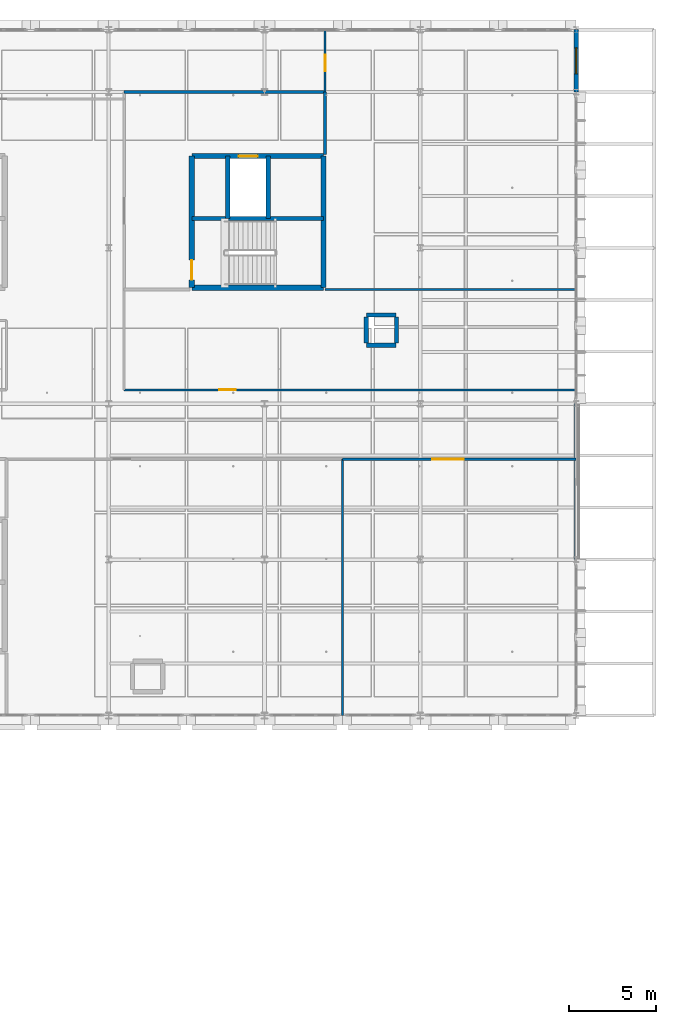
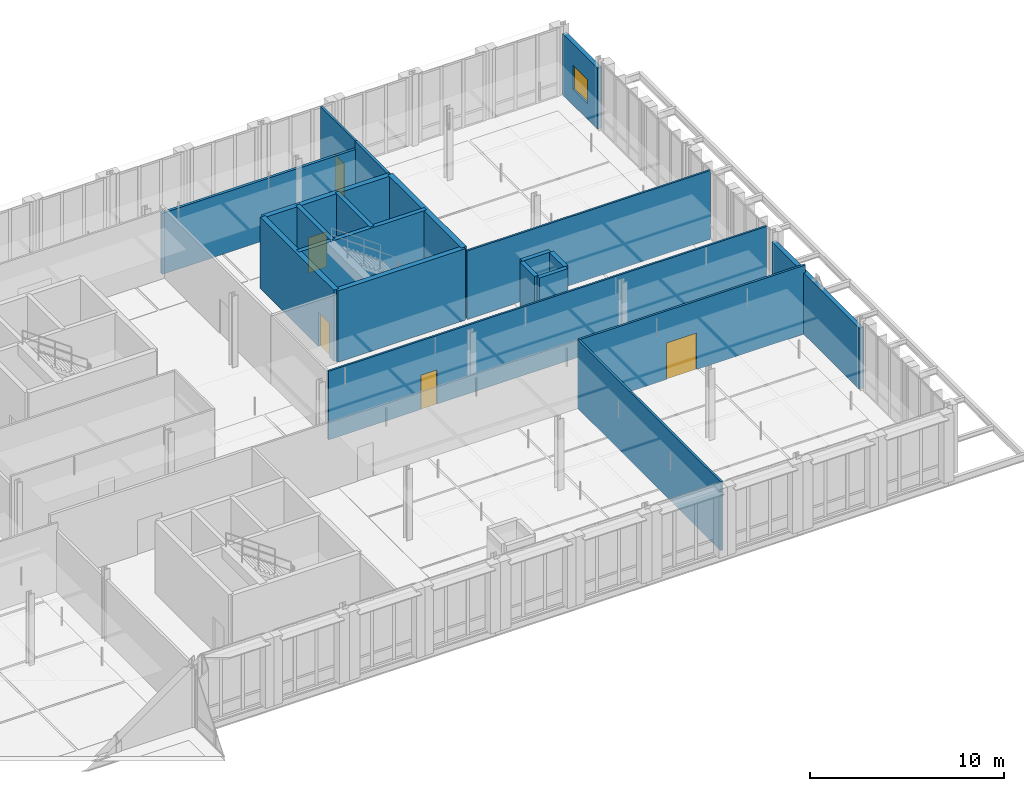
# One storey, part 94 of 140: 20 walls, 5 doors, 1 window, 6 openings.
"""IFC4 building model written with IfcOpenShell, lengths in metres."""

from ifc_helpers import new_model, si_unit, direction, frame, frame_2d, origin, place, context, subcontext, project, spatial, rectangle, extrude, material, layer, layer_set, type_object, element, fill, save


model = new_model("IFC4")

# Units and contexts
model_context = context("Model", 3, precision=1e-05, world=origin(), true_north=direction((0.0, 1.0)))
body_context = subcontext(model_context, "Body", "Model", "MODEL_VIEW")
ifc_project = project(units=[si_unit("LENGTHUNIT", "METRE"), si_unit("AREAUNIT", "SQUARE_METRE"), si_unit("VOLUMEUNIT", "CUBIC_METRE"), si_unit("PLANEANGLEUNIT", "RADIAN"), si_unit("MASSUNIT", "GRAM", prefix="KILO"), si_unit("THERMODYNAMICTEMPERATUREUNIT", "KELVIN"), si_unit("POWERUNIT", "WATT")], contexts=[model_context])

# Site, building, storey
site_placement = place(None, origin())
site = spatial("IfcSite", under=ifc_project, at=site_placement, CompositionType="ELEMENT")
building_placement = place(site_placement, origin())
building = spatial("IfcBuilding", under=site, at=building_placement, Name="Tallowbark Science Centre", CompositionType="ELEMENT")
storey_placement = place(building_placement, frame((0.0, 0.0, 9.89990234375)))
storey = spatial("IfcBuildingStorey", under=building, at=storey_placement, Name="L02", CompositionType="ELEMENT", Elevation=9.89990234375)

# Wall
ifc_material_1 = material(Name="Insulated Precast Concrete Panel Grade N40 (40 MPa)", Category="concrete")
ifc_layer_1 = layer(ifc_material_1, 0.25)
ifc_layer_set_1 = layer_set([ifc_layer_1], Name="Insulated Precast Concrete Panel Grade N40 (40 MPa)")
wall_type_1 = type_object("IfcWallType", Name="EWL-PRC-250", PredefinedType="STANDARD", material=ifc_layer_set_1)
wall_1_placement = place(storey_placement, frame((157.5, 81.0, 0.0), z_axis=(0.0, 0.0, 1.0), x_axis=(0.0, 1.0, 0.0)))
element("IfcWall", 1, at=wall_1_placement, inside=storey, type_object=wall_type_1, Name="Exterior Wall OBS-E-L02-81", PredefinedType="STANDARD", context=body_context, shape_type="SweptSolid", body=[
    extrude(rectangle(XDim=9.0, YDim=0.25, at=frame_2d((4.5, 0.0))), origin(), (0.0, 0.0, 1.0), 3.84619140625),
])

# Wall, opening, window
wall_2_placement = place(storey_placement, frame((157.5, 108.0, 0.0), z_axis=(0.0, 0.0, 1.0), x_axis=(0.0, 1.0, 0.0)))
wall_2 = element("IfcWall", 2, at=wall_2_placement, inside=storey, type_object=wall_type_1, Name="Exterior Wall OBS-E-L02-108", PredefinedType="STANDARD", context=body_context, shape_type="SweptSolid", body=[
    extrude(rectangle(XDim=3.60009765625, YDim=0.25, at=frame_2d((1.800048828125, 0.0))), origin(), (0.0, 0.0, 1.0), 3.84619140625),
])
opening_1_placement = place(wall_2_placement, frame((1.050048828125, 0.0, 1.0)))
opening_1 = element("IfcOpeningElement", 3, at=opening_1_placement, cuts=wall_2, Name="Opening W-08", PredefinedType="OPENING", context=body_context, shape_type="SweptSolid", body=[
    extrude(rectangle(XDim=1.5, YDim=1.5, at=frame_2d((0.75, 0.75))), frame((0.0, 0.135009765625, 0.0), z_axis=(0.0, -1.0, 0.0), x_axis=(1.0, 0.0, 0.0)), (0.0, 0.0, 1.0), 0.27001953125),
])
ifc_material_2 = material(Name="Thermally Broken Aluminium and Low-E Double Glazing", Category="aluminium")
window_type = type_object("IfcWindowType", Name="WIN-F150x150", PartitioningType="SINGLE_PANEL", PredefinedType="WINDOW", material=ifc_material_2)
window_placement = place(opening_1_placement, origin())
window = element("IfcWindow", 4, at=window_placement, inside=storey, type_object=window_type, Name="Window WIN-L02-0044", OverallHeight=1.5, OverallWidth=1.5, PartitioningType="SINGLE_PANEL", PredefinedType="WINDOW", context=body_context, shape_type="SweptSolid", body=[
    extrude(rectangle(XDim=1.5, YDim=1.5, at=frame_2d((0.75, 0.75))), frame((0.0, 0.030029296875, 0.0), z_axis=(0.0, -1.0, 0.0), x_axis=(1.0, 0.0, 0.0)), (0.0, 0.0, 1.0), 0.06005859375),
])
fill(opening_1, window)

# Wall, opening, door
ifc_material_3 = material(Name="116 mm Acoustic Steel Stud and 16 mm Fire-Rated Plasterboard", Category="steel")
ifc_layer_2 = layer(ifc_material_3, 0.115966796875)
ifc_layer_set_2 = layer_set([ifc_layer_2], Name="116 mm Acoustic Steel Stud and 16 mm Fire-Rated Plasterboard")
wall_type_2 = type_object("IfcWallType", Name="PTW-116", PredefinedType="PARTITIONING", material=ifc_layer_set_2)
wall_3_placement = place(storey_placement, frame((131.39990234375, 90.800048828125, 0.0), z_axis=(0.0, 0.0, 1.0), x_axis=(1.0, 0.0, 0.0)))
wall_3 = element("IfcWall", 5, at=wall_3_placement, inside=storey, type_object=wall_type_2, Name="Interior Partition PTW-L02-0242", PredefinedType="PARTITIONING", context=body_context, shape_type="SweptSolid", body=[
    extrude(rectangle(XDim=26.10009765625, YDim=0.115966796875, at=frame_2d((13.050048828125, 0.0))), origin(), (0.0, 0.0, 1.0), 4.320068359375),
])
opening_2_placement = place(wall_3_placement, frame((5.5, 0.0, 0.0)))
opening_2 = element("IfcOpeningElement", 6, at=opening_2_placement, cuts=wall_3, Name="Opening ID-04", PredefinedType="OPENING", context=body_context, shape_type="SweptSolid", body=[
    extrude(rectangle(XDim=0.949951171875, YDim=2.14990234375, at=frame_2d((0.47509765625, 1.074951171875))), frame((0.0, 0.06787109375, 0.0), z_axis=(0.0, -1.0, 0.0), x_axis=(1.0, 0.0, 0.0)), (0.0, 0.0, 1.0), 0.135986328125),
])
ifc_material_4 = material(Name="Solid-Core Timber Veneer Leaf", Category="wood")
door_type_1 = type_object("IfcDoorType", Name="IDR-OFF-095", OperationType="NOTDEFINED", PredefinedType="DOOR", material=ifc_material_4)
door_1_placement = place(opening_2_placement, origin())
door_1 = element("IfcDoor", 7, at=door_1_placement, inside=storey, type_object=door_type_1, Name="Interior Door IDR-L02-0105", OperationType="SINGLE_SWING_RIGHT", OverallHeight=2.14990234375, OverallWidth=0.949951171875, PredefinedType="DOOR", context=body_context, shape_type="SweptSolid", body=[
    extrude(rectangle(XDim=0.949951171875, YDim=2.14990234375, at=frame_2d((0.47509765625, 1.074951171875))), frame((0.0, 0.02490234375, 0.0), z_axis=(0.0, -1.0, 0.0), x_axis=(1.0, 0.0, 0.0)), (0.0, 0.0, 1.0), 0.050048828125),
])
fill(opening_2, door_1)

# Wall
wall_4_placement = place(storey_placement, frame((143.0, 96.60009765625, 0.0), z_axis=(0.0, 0.0, 1.0), x_axis=(1.0, 0.0, 0.0)))
element("IfcWall", 8, at=wall_4_placement, inside=storey, type_object=wall_type_2, Name="Interior Partition PTW-L02-0244", PredefinedType="PARTITIONING", context=body_context, shape_type="SweptSolid", body=[
    extrude(rectangle(XDim=14.5, YDim=0.115966796875, at=frame_2d((7.25, 0.0))), origin(), (0.0, 0.0, 1.0), 4.320068359375),
])

# Wall, opening, door
wall_5_placement = place(storey_placement, frame((143.0, 108.0, 0.0), z_axis=(0.0, 0.0, 1.0), x_axis=(0.0, 1.0, 0.0)))
wall_5 = element("IfcWall", 9, at=wall_5_placement, inside=storey, type_object=wall_type_2, Name="Interior Partition PTW-L02-0245", PredefinedType="PARTITIONING", context=body_context, shape_type="SweptSolid", body=[
    extrude(rectangle(XDim=3.60009765625, YDim=0.115966796875, at=frame_2d((1.800048828125, 0.0))), origin(), (0.0, 0.0, 1.0), 4.320068359375),
])
opening_3_placement = place(wall_5_placement, frame((1.199951171875, 0.0, 0.0)))
opening_3 = element("IfcOpeningElement", 10, at=opening_3_placement, cuts=wall_5, Name="Opening ID-04", PredefinedType="OPENING", context=body_context, shape_type="SweptSolid", body=[
    extrude(rectangle(XDim=0.949951171875, YDim=2.14990234375, at=frame_2d((0.47509765625, 1.074951171875))), frame((0.0, 0.06787109375, 0.0), z_axis=(0.0, -1.0, 0.0), x_axis=(1.0, 0.0, 0.0)), (0.0, 0.0, 1.0), 0.135986328125),
])
door_2_placement = place(opening_3_placement, origin())
door_2 = element("IfcDoor", 11, at=door_2_placement, inside=storey, type_object=door_type_1, Name="Interior Door IDR-L02-0106", OperationType="SINGLE_SWING_LEFT", OverallHeight=2.14990234375, OverallWidth=0.949951171875, PredefinedType="DOOR", context=body_context, shape_type="SweptSolid", body=[
    extrude(rectangle(XDim=0.949951171875, YDim=2.14990234375, at=frame_2d((0.47509765625, 1.074951171875))), frame((0.0, 0.02490234375, 0.0), z_axis=(0.0, -1.0, 0.0), x_axis=(1.0, 0.0, 0.0)), (0.0, 0.0, 1.0), 0.050048828125),
])
fill(opening_3, door_2)

# Wall
ifc_material_5 = material(Name="132 mm Acoustic Laboratory Steel Stud Partition", Category="steel")
ifc_layer_3 = layer(ifc_material_5, 0.132080078125)
ifc_layer_set_3 = layer_set([ifc_layer_3], Name="132 mm Acoustic Laboratory Steel Stud Partition")
wall_type_3 = type_object("IfcWallType", Name="PTW-132", PredefinedType="PARTITIONING", material=ifc_layer_set_3)
wall_6_placement = place(storey_placement, frame((144.0, 72.0, 0.0), z_axis=(0.0, 0.0, 1.0), x_axis=(0.0, 1.0, 0.0)))
element("IfcWall", 12, at=wall_6_placement, inside=storey, type_object=wall_type_3, Name="Interior Partition PTW-L02-0233", PredefinedType="PARTITIONING", context=body_context, shape_type="SweptSolid", body=[
    extrude(rectangle(XDim=14.800048828125, YDim=0.132080078125, at=frame_2d((7.39990234375, 0.0))), origin(), (0.0, 0.0, 1.0), 4.320068359375),
])

# Wall, opening, door
wall_7_placement = place(storey_placement, frame((144.0, 86.800048828125, 0.0), z_axis=(0.0, 0.0, 1.0), x_axis=(1.0, 0.0, 0.0)))
wall_7 = element("IfcWall", 13, at=wall_7_placement, inside=storey, type_object=wall_type_3, Name="Interior Partition PTW-L02-0234", PredefinedType="PARTITIONING", context=body_context, shape_type="SweptSolid", body=[
    extrude(rectangle(XDim=13.5, YDim=0.132080078125, at=frame_2d((6.75, 0.0))), origin(), (0.0, 0.0, 1.0), 4.320068359375),
])
opening_4_placement = place(wall_7_placement, frame((5.199951171875, 0.0, 0.0)))
opening_4 = element("IfcOpeningElement", 14, at=opening_4_placement, cuts=wall_7, Name="Opening ID-03", PredefinedType="OPENING", context=body_context, shape_type="SweptSolid", body=[
    extrude(rectangle(XDim=1.800048828125, YDim=2.300048828125, at=frame_2d((0.89990234375, 1.14990234375))), frame((0.0, 0.076171875, 0.0), z_axis=(0.0, -1.0, 0.0), x_axis=(1.0, 0.0, 0.0)), (0.0, 0.0, 1.0), 0.152099609375),
])
ifc_material_6 = material(Name="Acoustic Sound-Lock Theatre Pair")
door_type_2 = type_object("IfcDoorType", Name="IDR-AUD-180", OperationType="DOUBLE_DOOR_SINGLE_SWING", PredefinedType="DOOR", material=ifc_material_6)
door_3_placement = place(opening_4_placement, origin())
door_3 = element("IfcDoor", 15, at=door_3_placement, inside=storey, type_object=door_type_2, Name="Interior Door IDR-L02-0101", OperationType="DOUBLE_DOOR_SINGLE_SWING", OverallHeight=2.300048828125, OverallWidth=1.800048828125, PredefinedType="DOOR", context=body_context, shape_type="SweptSolid", body=[
    extrude(rectangle(XDim=1.800048828125, YDim=2.300048828125, at=frame_2d((0.89990234375, 1.14990234375))), frame((0.0, 0.02490234375, 0.0), z_axis=(0.0, -1.0, 0.0), x_axis=(1.0, 0.0, 0.0)), (0.0, 0.0, 1.0), 0.050048828125),
])
fill(opening_4, door_3)

# Walls
ifc_material_7 = material(Name="162 mm Double-Stud Fire-Rated Corridor Partition")
ifc_layer_4 = layer(ifc_material_7, 0.162109375)
ifc_layer_set_4 = layer_set([ifc_layer_4], Name="162 mm Double-Stud Fire-Rated Corridor Partition")
wall_type_4 = type_object("IfcWallType", Name="PTW-162", PredefinedType="PARTITIONING", material=ifc_layer_set_4)
wall_8_placement = place(storey_placement, frame((143.0, 104.39990234375, 0.0), z_axis=(0.0, 0.0, 1.0), x_axis=(0.0, 1.0, 0.0)))
element("IfcWall", 16, at=wall_8_placement, inside=storey, type_object=wall_type_4, Name="Interior Partition PTW-L02-0035", PredefinedType="PARTITIONING", context=body_context, shape_type="SweptSolid", body=[
    extrude(rectangle(XDim=3.60009765625, YDim=0.162109375, at=frame_2d((1.800048828125, 0.0))), origin(), (0.0, 0.0, 1.0), 4.320068359375),
])
wall_9_placement = place(storey_placement, frame((131.39990234375, 108.0, 0.0), z_axis=(0.0, 0.0, 1.0), x_axis=(1.0, 0.0, 0.0)))
element("IfcWall", 17, at=wall_9_placement, inside=storey, type_object=wall_type_4, Name="Interior Partition PTW-L02-0036", PredefinedType="PARTITIONING", context=body_context, shape_type="SweptSolid", body=[
    extrude(rectangle(XDim=11.60009765625, YDim=0.162109375, at=frame_2d((5.800048828125, 0.0))), origin(), (0.0, 0.0, 1.0), 3.84619140625),
])

# Wall, opening, door
ifc_material_8 = material(Name="Concrete Grade N40 (40 MPa)", Category="concrete")
ifc_layer_5 = layer(ifc_material_8, 0.300048828125)
ifc_layer_set_5 = layer_set([ifc_layer_5], Name="Concrete Grade N40 (40 MPa)")
wall_type_5 = type_object("IfcWallType", Name="WL-CORE-300", PredefinedType="SHEAR", material=ifc_layer_set_5)
wall_10_placement = place(storey_placement, frame((135.300048828125, 96.699951171875, 0.0), z_axis=(0.0, 0.0, 1.0), x_axis=(0.0, 1.0, 0.0)))
wall_10 = element("IfcWall", 18, at=wall_10_placement, inside=storey, type_object=wall_type_5, Name="Core C4 Shear Wall L02 W", PredefinedType="SHEAR", context=body_context, shape_type="SweptSolid", body=[
    extrude(rectangle(XDim=7.60009765625, YDim=0.300048828125, at=frame_2d((3.800048828125, 0.0))), origin(), (0.0, 0.0, 1.0), 4.5),
])
opening_5_placement = place(wall_10_placement, frame((0.449951171875, 0.0, 0.0)))
opening_5 = element("IfcOpeningElement", 19, at=opening_5_placement, cuts=wall_10, Name="Opening FD-01", PredefinedType="OPENING", context=body_context, shape_type="SweptSolid", body=[
    extrude(rectangle(XDim=1.14990234375, YDim=2.14990234375, at=frame_2d((0.574951171875, 1.074951171875))), frame((0.0, 0.16015625, 0.0), z_axis=(0.0, -1.0, 0.0), x_axis=(1.0, 0.0, 0.0)), (0.0, 0.0, 1.0), 0.320068359375),
])
ifc_material_9 = material(Name="Fire-Rated Pressed Steel Frame and Solid Core Leaf", Category="steel")
door_type_3 = type_object("IfcDoorType", Name="FDR-STR-115", OperationType="NOTDEFINED", PredefinedType="DOOR", material=ifc_material_9)
door_4_placement = place(opening_5_placement, origin())
door_4 = element("IfcDoor", 20, at=door_4_placement, inside=storey, type_object=door_type_3, Name="Stair ST-04 Fire Door L02", OperationType="SINGLE_SWING_RIGHT", OverallHeight=2.14990234375, OverallWidth=1.14990234375, PredefinedType="DOOR", context=body_context, shape_type="SweptSolid", body=[
    extrude(rectangle(XDim=1.14990234375, YDim=2.14990234375, at=frame_2d((0.574951171875, 1.074951171875))), frame((0.0, 0.02490234375, 0.0), z_axis=(0.0, -1.0, 0.0), x_axis=(1.0, 0.0, 0.0)), (0.0, 0.0, 1.0), 0.050048828125),
])
fill(opening_5, door_4)

# Walls
wall_11_placement = place(storey_placement, frame((142.89990234375, 96.699951171875, 0.0), z_axis=(0.0, 0.0, 1.0), x_axis=(0.0, 1.0, 0.0)))
element("IfcWall", 21, at=wall_11_placement, inside=storey, type_object=wall_type_5, Name="Core C4 Shear Wall L02 E", PredefinedType="SHEAR", context=body_context, shape_type="SweptSolid", body=[
    extrude(rectangle(XDim=7.60009765625, YDim=0.300048828125, at=frame_2d((3.800048828125, 0.0))), origin(), (0.0, 0.0, 1.0), 4.5),
])
wall_12_placement = place(storey_placement, frame((135.300048828125, 96.699951171875, 0.0), z_axis=(0.0, 0.0, 1.0), x_axis=(1.0, 0.0, 0.0)))
element("IfcWall", 22, at=wall_12_placement, inside=storey, type_object=wall_type_5, Name="Core C4 Shear Wall L02 S", PredefinedType="SHEAR", context=body_context, shape_type="SweptSolid", body=[
    extrude(rectangle(XDim=7.599853515625, YDim=0.300048828125, at=frame_2d((3.7998046875, 0.0))), origin(), (0.0, 0.0, 1.0), 4.5),
])

# Wall, opening, door
wall_13_placement = place(storey_placement, frame((135.300048828125, 104.300048828125, 0.0), z_axis=(0.0, 0.0, 1.0), x_axis=(1.0, 0.0, 0.0)))
wall_13 = element("IfcWall", 23, at=wall_13_placement, inside=storey, type_object=wall_type_5, Name="Core C4 Shear Wall L02 N", PredefinedType="SHEAR", context=body_context, shape_type="SweptSolid", body=[
    extrude(rectangle(XDim=7.599853515625, YDim=0.300048828125, at=frame_2d((3.7998046875, 0.0))), origin(), (0.0, 0.0, 1.0), 4.5),
])
opening_6_placement = place(wall_13_placement, frame((2.699951171875, 0.0, 0.0)))
opening_6 = element("IfcOpeningElement", 24, at=opening_6_placement, cuts=wall_13, Name="Opening LD-01", PredefinedType="OPENING", context=body_context, shape_type="SweptSolid", body=[
    extrude(rectangle(XDim=1.10009765625, YDim=2.199951171875, at=frame_2d((0.550048828125, 1.10009765625))), frame((0.0, 0.16015625, 0.0), z_axis=(0.0, -1.0, 0.0), x_axis=(1.0, 0.0, 0.0)), (0.0, 0.0, 1.0), 0.320068359375),
])
ifc_material_10 = material(Name="Brushed Stainless Steel Centre-Parting Lift Landing Door", Category="steel")
door_type_4 = type_object("IfcDoorType", Name="LDR-LFT-110", OperationType="DOUBLE_DOOR_SLIDING", PredefinedType="DOOR", material=ifc_material_10)
door_5_placement = place(opening_6_placement, origin())
door_5 = element("IfcDoor", 25, at=door_5_placement, inside=storey, type_object=door_type_4, Name="Lift LF-03 Landing Door L02", OperationType="DOUBLE_DOOR_SLIDING", OverallHeight=2.199951171875, OverallWidth=1.10009765625, PredefinedType="DOOR", context=body_context, shape_type="SweptSolid", body=[
    extrude(rectangle(XDim=1.10009765625, YDim=2.199951171875, at=frame_2d((0.550048828125, 1.10009765625))), frame((0.0, 0.02490234375, 0.0), z_axis=(0.0, -1.0, 0.0), x_axis=(1.0, 0.0, 0.0)), (0.0, 0.0, 1.0), 0.050048828125),
])
fill(opening_6, door_5)

# Walls
ifc_layer_6 = layer(ifc_material_8, 0.25)
ifc_layer_set_6 = layer_set([ifc_layer_6], Name="Concrete Grade N40 (40 MPa)")
wall_type_6 = type_object("IfcWallType", Name="WL-SHAFT-250", PredefinedType="SHEAR", material=ifc_layer_set_6)
wall_14_placement = place(storey_placement, frame((135.300048828125, 100.695068359375, 0.0), z_axis=(0.0, 0.0, 1.0), x_axis=(1.0, 0.0, 0.0)))
element("IfcWall", 26, at=wall_14_placement, inside=storey, type_object=wall_type_6, Name="Core C4 Shear Wall L02 MID", PredefinedType="SHEAR", context=body_context, shape_type="SweptSolid", body=[
    extrude(rectangle(XDim=7.599853515625, YDim=0.25, at=frame_2d((3.7998046875, 0.0))), origin(), (0.0, 0.0, 1.0), 4.5),
])
for number, where, z_axis, x_axis, name in (
    (27, (137.375, 100.695068359375, 0.0), (0.0, 0.0, 1.0), (0.0, 1.0, 0.0), "Core C4 Shear Wall L02 LW"),
    (28, (139.72509765625, 100.695068359375, 0.0), (0.0, 0.0, 1.0), (0.0, 1.0, 0.0), "Core C4 Shear Wall L02 LE"),
):
    element("IfcWall", number, at=place(storey_placement, frame(where, z_axis=z_axis, x_axis=x_axis)), inside=storey, type_object=wall_type_6, Name=name, PredefinedType="SHEAR", context=body_context, shape_type="SweptSolid", body=[
        extrude(rectangle(XDim=3.60498046875, YDim=0.25, at=frame_2d((1.802490234375, 0.0))), origin(), (0.0, 0.0, 1.0), 4.5),
    ])
for number, where, z_axis, x_axis, name in (
    (29, (145.39990234375, 93.375, 0.0), (0.0, 0.0, 1.0), (1.0, 0.0, 0.0), "Service Riser Shaft Wall RSR-OBS-N L02 S"),
    (30, (145.39990234375, 95.125, 0.0), (0.0, 0.0, 1.0), (1.0, 0.0, 0.0), "Service Riser Shaft Wall RSR-OBS-N L02 N"),
):
    element("IfcWall", number, at=place(storey_placement, frame(where, z_axis=z_axis, x_axis=x_axis)), inside=storey, type_object=wall_type_6, Name=name, PredefinedType="SHEAR", context=body_context, shape_type="SweptSolid", body=[
        extrude(rectangle(XDim=1.7001953125, YDim=0.25, at=frame_2d((0.85009765625, 0.0))), origin(), (0.0, 0.0, 1.0), 3.77001953125),
    ])
for number, where, z_axis, x_axis, name in (
    (31, (145.375, 93.5, 0.0), (0.0, 0.0, 1.0), (0.0, 1.0, 0.0), "Service Riser Shaft Wall RSR-OBS-N L02 W"),
    (32, (147.125, 93.5, 0.0), (0.0, 0.0, 1.0), (0.0, 1.0, 0.0), "Service Riser Shaft Wall RSR-OBS-N L02 E"),
):
    element("IfcWall", number, at=place(storey_placement, frame(where, z_axis=z_axis, x_axis=x_axis)), inside=storey, type_object=wall_type_6, Name=name, PredefinedType="SHEAR", context=body_context, shape_type="SweptSolid", body=[
        extrude(rectangle(XDim=1.5, YDim=0.25, at=frame_2d((0.75, 0.0))), origin(), (0.0, 0.0, 1.0), 3.77001953125),
    ])

save(model, "model.ifc")
